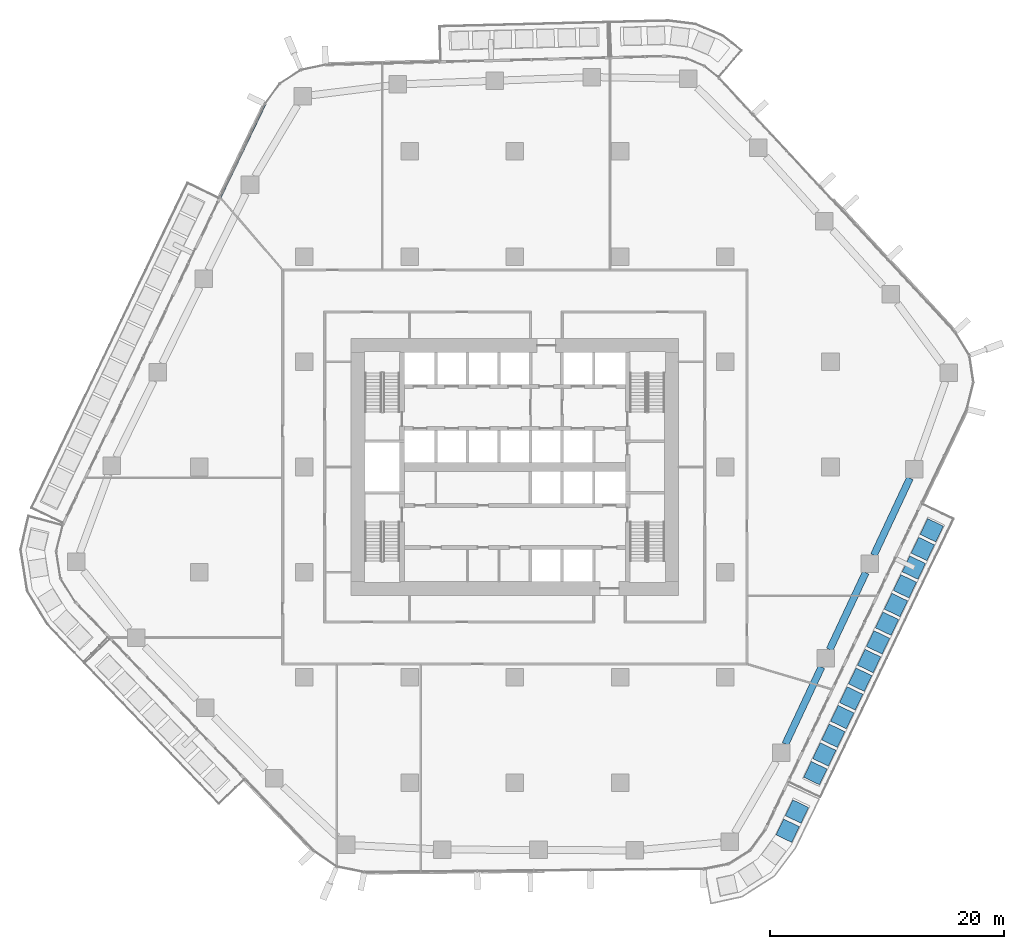
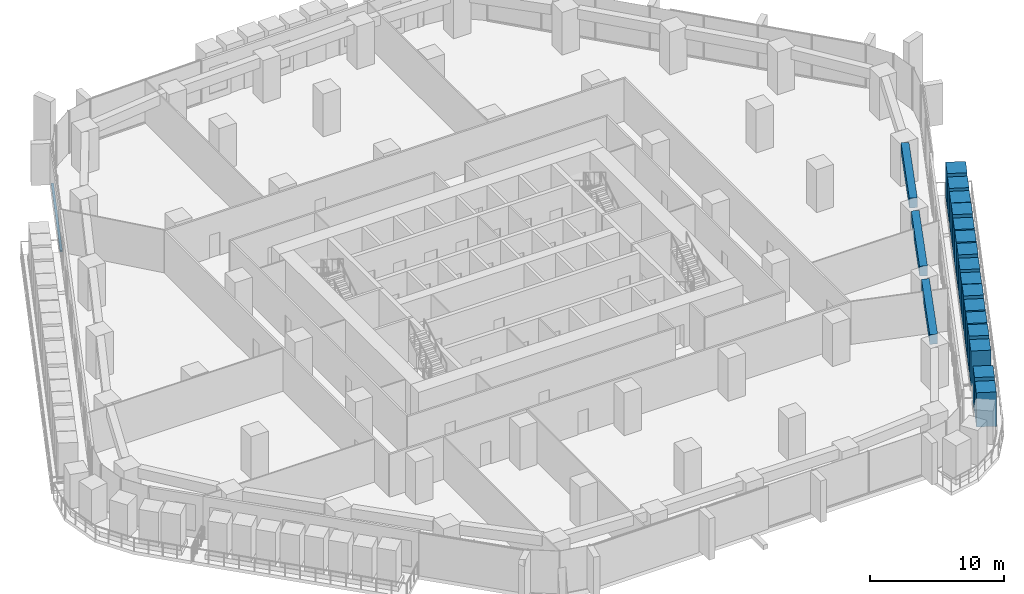
# One storey, part 6 of 23: 17 members, 3 beams, 1 element without a shape of its own.
"""IFC4 building model written with IfcOpenShell, lengths in metres."""

import ifcopenshell
import ifcopenshell.guid

model = None  # the IFC model being written
_history = None  # IfcOwnerHistory: only IFC2X3 demands one
_inside = {}  # id of a spatial element -> (the spatial element, [elements in it])
_under = {}  # id of a project, library or spatial element -> (it, [spatial elements below it])
_declared = {}  # id of a project -> (the project, [libraries it declares])
_typed = {}  # id of a type object -> (the type object, [elements of that type])
_made_of = {}  # id of a material, layer set ... -> (it, [elements and type objects made of it])


def new_model(schema):
    """Start an empty IFC model of exactly this schema.

    Asked for "IFC4X3", IfcOpenShell would pick the latest addendum, in which some entities
    have other attributes; the version numbers below select the first issue.
    IFC2X3 requires an IfcOwnerHistory on every rooted entity: one is made here for all.
    """
    global model, _history
    if schema == "IFC4X3":
        model = ifcopenshell.file(schema_version=(4, 3, 0, 0))
    else:
        model = ifcopenshell.file(schema=schema)
    _inside.clear()
    _under.clear()
    _declared.clear()
    _typed.clear()
    _made_of.clear()
    _history = None
    if model.schema == "IFC2X3":
        org = make("IfcOrganization", Name="unknown")
        user = make(
            "IfcPersonAndOrganization",
            ThePerson=make("IfcPerson", FamilyName="unknown"),
            TheOrganization=org,
        )
        app = make(
            "IfcApplication",
            ApplicationDeveloper=org,
            Version="unknown",
            ApplicationFullName="unknown",
            ApplicationIdentifier="unknown",
        )
        _history = make(
            "IfcOwnerHistory",
            OwningUser=user,
            OwningApplication=app,
            ChangeAction="ADDED",
            CreationDate=0,
        )
    return model


def make(cls, **values):
    """One entity of the class cls with the attributes given. An attribute that is None is left unset."""
    return model.create_entity(
        cls, **{name: value for name, value in values.items() if value is not None}
    )


def rooted(cls, **values):
    """An entity with a GlobalId (a new one), such as an element, a storey or a relation."""
    return make(cls, GlobalId=ifcopenshell.guid.new(), OwnerHistory=_history, **values)


def si_unit(unit_type, name, prefix=None):
    """IfcSIUnit, for example si_unit("LENGTHUNIT", "METRE", prefix="MILLI")."""
    return make("IfcSIUnit", UnitType=unit_type, Prefix=prefix, Name=name)


def assignment(units):
    """IfcUnitAssignment: the units of a project."""
    return None if units is None else make("IfcUnitAssignment", Units=units)


def point(xyz):
    """IfcCartesianPoint."""
    return None if xyz is None else make("IfcCartesianPoint", Coordinates=xyz)


def direction(xyz):
    """IfcDirection."""
    return None if xyz is None else make("IfcDirection", DirectionRatios=xyz)


def frame(location, z_axis=None, x_axis=None):
    """IfcAxis2Placement3D, a coordinate frame: its origin and axes. An axis left out is left unset."""
    return make(
        "IfcAxis2Placement3D",
        Location=point(location),
        Axis=direction(z_axis),
        RefDirection=direction(x_axis),
    )


def frame_2d(location, x_axis=None):
    """IfcAxis2Placement2D, a coordinate frame in the plane: its origin and x axis."""
    return make(
        "IfcAxis2Placement2D", Location=point(location), RefDirection=direction(x_axis)
    )


def origin():
    """The frame at (0, 0, 0) with its axes left unset."""
    return frame((0.0, 0.0, 0.0))


def origin_2d():
    """The frame at (0, 0) in the plane with its x axis left unset."""
    return frame_2d((0.0, 0.0))


def place(relative_to, where):
    """IfcLocalPlacement: puts the frame where relative to a parent placement (None: the world)."""
    return make(
        "IfcLocalPlacement", PlacementRelTo=relative_to, RelativePlacement=where
    )


def context(
    kind, dimensions, precision=None, world=None, true_north=None, identifier=None
):
    """IfcGeometricRepresentationContext, for example the 3D "Model" context."""
    return make(
        "IfcGeometricRepresentationContext",
        ContextIdentifier=identifier,
        ContextType=kind,
        CoordinateSpaceDimension=dimensions,
        Precision=precision,
        WorldCoordinateSystem=world,
        TrueNorth=true_north,
    )


def subcontext(parent, identifier, kind, view, scale=None):
    """IfcGeometricRepresentationSubContext, for example "Body" below "Model"."""
    return make(
        "IfcGeometricRepresentationSubContext",
        ContextIdentifier=identifier,
        ContextType=kind,
        ParentContext=parent,
        TargetScale=scale,
        TargetView=view,
    )


def project(units=None, contexts=None):
    """IfcProject with its units and contexts."""
    return rooted(
        "IfcProject",
        Name="project",
        RepresentationContexts=contexts,
        UnitsInContext=assignment(units),
    )


def spatial(cls, under=None, at=None, **own):
    """A site, building, storey or space (cls), placed at a placement, below another one or the project."""
    s = rooted(cls, ObjectPlacement=at, **own)
    if under is not None:
        _under.setdefault(under.id(), (under, []))[1].append(s)
    return s


def profile(cls, at=None, kind="AREA", **sizes):
    """A parametric profile (cls). Its sizes go by their IFC names, for example OverallWidth=200.0."""
    return make(cls, ProfileType=kind, Position=at, **sizes)


def rectangle(**sizes):
    """IfcRectangleProfileDef."""
    return profile("IfcRectangleProfileDef", **sizes)


def extrude(swept, where, along, depth):
    """IfcExtrudedAreaSolid: the profile swept, set in the frame where, extruded along a direction by depth."""
    return make(
        "IfcExtrudedAreaSolid",
        SweptArea=swept,
        Position=where,
        ExtrudedDirection=direction(along),
        Depth=depth,
    )


def shape(context_of_items, identifier, shape_type, items):
    """IfcShapeRepresentation: the items that make up one representation, for example the "Body"."""
    return make(
        "IfcShapeRepresentation",
        ContextOfItems=context_of_items,
        RepresentationIdentifier=identifier,
        RepresentationType=shape_type,
        Items=items,
    )


def material(Name=None, Category=None):
    """IfcMaterial."""
    return make("IfcMaterial", Name=Name, Category=Category)


def layer(
    of_material, thickness, ventilated=None, Name=None, Category=None, Priority=None
):
    """IfcMaterialLayer: one layer of a wall or slab, of a material (None: an air gap)."""
    return make(
        "IfcMaterialLayer",
        Material=of_material,
        LayerThickness=thickness,
        IsVentilated=ventilated,
        Name=Name,
        Category=Category,
        Priority=Priority,
    )


def layer_set(layers, Name=None):
    """IfcMaterialLayerSet."""
    return make("IfcMaterialLayerSet", MaterialLayers=layers, LayerSetName=Name)


def material_profile(
    of_material, cross_section, Name=None, Category=None, Priority=None
):
    """IfcMaterialProfile: a cross section and its material."""
    return make(
        "IfcMaterialProfile",
        Name=Name,
        Material=of_material,
        Profile=cross_section,
        Priority=Priority,
        Category=Category,
    )


def profile_set(profiles, Name=None, composite=None):
    """IfcMaterialProfileSet."""
    return make(
        "IfcMaterialProfileSet",
        Name=Name,
        MaterialProfiles=profiles,
        CompositeProfile=composite,
    )


def made_of(thing, what):
    """Note that an element or type object is made of a material, layer set ...; save() writes the relation."""
    if what is not None:
        _made_of.setdefault(what.id(), (what, []))[1].append(thing)
    return thing


def type_object(cls, material=None, **own):
    """A type object (cls), such as IfcWallType, which elements share."""
    return made_of(rooted(cls, **own), material)


def element(
    cls,
    number,
    at=None,
    inside=None,
    cuts=None,
    type_object=None,
    material=None,
    context=None,
    identifier="Body",
    shape_type=None,
    held_by="IfcProductDefinitionShape",
    body=None,
    shapes=None,
    **own,
):
    """One element of the class cls, such as IfcWall. Its Tag is "e" and its number.

    at: its placement. inside: the storey or other place that contains it. cuts: it is an
    opening in that element (IfcRelVoidsElement). A single representation is given by context,
    identifier, shape_type and body (its items); several are given by shapes. held_by: the class
    of the entity that holds the representations. save() writes the other relations.
    """
    e = rooted(cls, Tag="e%d" % number, ObjectPlacement=at, **own)
    if body is not None:
        shapes = [shape(context, identifier, shape_type, body)]
    if shapes is not None:
        e.Representation = make(held_by, Representations=shapes)
    if inside is not None:
        _inside.setdefault(inside.id(), (inside, []))[1].append(e)
    if cuts is not None:
        rooted(
            "IfcRelVoidsElement", RelatingBuildingElement=cuts, RelatedOpeningElement=e
        )
    if type_object is not None:
        _typed.setdefault(type_object.id(), (type_object, []))[1].append(e)
    return made_of(e, material)


def aggregate(whole, parts):
    """IfcRelAggregates: a whole, such as a stair, and the parts it consists of."""
    return rooted("IfcRelAggregates", RelatingObject=whole, RelatedObjects=parts)


def save(model, path):
    """Write the relations noted so far, then the file.

    IfcRelAggregates (storeys below a building ...), IfcRelContainedInSpatialStructure (elements
    in a storey), IfcRelDefinesByType, IfcRelAssociatesMaterial and IfcRelDeclares: one each for
    every whole, place, type object, material and project.
    """
    for whole, parts in _under.values():
        aggregate(whole, parts)
    for where, things in _inside.values():
        rooted(
            "IfcRelContainedInSpatialStructure",
            RelatedElements=things,
            RelatingStructure=where,
        )
    for kind, things in _typed.values():
        rooted("IfcRelDefinesByType", RelatedObjects=things, RelatingType=kind)
    for what, things in _made_of.values():
        rooted("IfcRelAssociatesMaterial", RelatedObjects=things, RelatingMaterial=what)
    for by, libraries in _declared.values():
        rooted("IfcRelDeclares", RelatingContext=by, RelatedDefinitions=libraries)
    model.write(path)


model = new_model("IFC4")

# Units and contexts
model_context = context("Model", 3, precision=1e-05, world=origin(), true_north=direction((0.0, 1.0)))
body_context = subcontext(model_context, "Body", "Model", "MODEL_VIEW")
ifc_project = project(units=[si_unit("LENGTHUNIT", "METRE"), si_unit("AREAUNIT", "SQUARE_METRE"), si_unit("VOLUMEUNIT", "CUBIC_METRE"), si_unit("PLANEANGLEUNIT", "RADIAN"), si_unit("MASSUNIT", "GRAM", prefix="KILO")], contexts=[model_context])

# Site, building, storey
site_placement = place(None, origin())
site = spatial("IfcSite", under=ifc_project, at=site_placement, CompositionType="ELEMENT")
building_placement = place(site_placement, origin())
building = spatial("IfcBuilding", under=site, at=building_placement, Name="Dongbaek Canopy Tower", CompositionType="ELEMENT")
storey_placement = place(building_placement, frame((0.0, 0.0, 84.699951171875)))
storey = spatial("IfcBuildingStorey", under=building, at=storey_placement, Name="L17", CompositionType="ELEMENT", Elevation=84.699951171875)

# Curtain wall, member
ifc_material_1 = material(Name="Aluminium 6063-T6 pale anodised", Category="aluminium")
ifc_layer = layer(ifc_material_1, 0.199951171875)
ifc_layer_set = layer_set([ifc_layer], Name="CW-1 unitised tower curtain wall")
curtain_wall_type = type_object("IfcCurtainWallType", Name="CW-1 unitised tower curtain wall", PredefinedType="NOTDEFINED", material=ifc_layer_set)
curtain_wall_placement = place(storey_placement, origin())
curtain_wall = element("IfcCurtainWall", 1, at=curtain_wall_placement, inside=storey, type_object=curtain_wall_type, Name="CW-1 curtain wall F2.1", PredefinedType="NOTDEFINED")
ifc_material_2 = material(Name="Aluminium 6063-T6 pale anodised", Category="aluminium")
ifc_material_profile_1 = material_profile(ifc_material_2, rectangle(XDim=0.199951171875, YDim=0.1201171875, at=origin_2d()), Name="CW-1 transom 120 x 200")
ifc_profile_set_1 = profile_set([ifc_material_profile_1], Name="Aluminium 6063-T6 pale anodised")
member_type_1 = type_object("IfcMemberType", Name="CW-1 transom 120 x 200", PredefinedType="USERDEFINED", material=ifc_profile_set_1)
member_1_placement = place(storey_placement, frame((-21.366943359375, 31.04638671875, 0.06005859375), z_axis=(-0.433079590692, -0.901355683472, 0.0), x_axis=(0.901355683472, -0.433079590692, 0.0)))
member_1 = element("IfcMember", 2, at=member_1_placement, type_object=member_type_1, Name="CW-1 transom F2.1.1", ObjectType="TRANSOM", PredefinedType="USERDEFINED", context=body_context, shape_type="SweptSolid", body=[
    extrude(rectangle(XDim=0.199951171875, YDim=0.1201171875, at=origin_2d()), origin(), (0.0, 0.0, 1.0), 8.85791015625),
])
aggregate(curtain_wall, [member_1])

# Beams
ifc_material_3 = material(Name="Concrete C80", Category="concrete")
ifc_material_profile_2 = material_profile(ifc_material_3, rectangle(XDim=0.60009765625, YDim=0.89990234375, at=origin_2d()), Name="RC EDGE BEAM 600x900 C80")
ifc_profile_set_2 = profile_set([ifc_material_profile_2], Name="Concrete C80")
beam_type = type_object("IfcBeamType", Name="RC EDGE BEAM 600x900 C80", PredefinedType="BEAM", material=ifc_profile_set_2)
beam_1_placement = place(storey_placement, frame((33.791748046875, -0.955078125, 3.449951171875), z_axis=(-0.424064450026, -0.905632012588, 0.0), x_axis=(0.905632012588, -0.424064450026, 0.0)))
element("IfcBeam", 3, at=beam_1_placement, inside=storey, type_object=beam_type, Name="EDGEBEAM:L17:22", PredefinedType="BEAM", context=body_context, shape_type="SweptSolid", body=[
    extrude(rectangle(XDim=0.60009765625, YDim=0.89990234375, at=origin_2d()), origin(), (0.0, 0.0, 1.0), 7.264404296875),
])
beam_2_placement = place(storey_placement, frame((30.0087890625, -9.033935546875, 3.449951171875), z_axis=(-0.424110161641, -0.905610606604, 0.0), x_axis=(0.905610606604, -0.424110161641, 0.0)))
element("IfcBeam", 4, at=beam_2_placement, inside=storey, type_object=beam_type, Name="EDGEBEAM:L17:23", PredefinedType="BEAM", context=body_context, shape_type="SweptSolid", body=[
    extrude(rectangle(XDim=0.60009765625, YDim=0.89990234375, at=origin_2d()), origin(), (0.0, 0.0, 1.0), 7.265869140625),
])
beam_3_placement = place(storey_placement, frame((26.224609375, -17.114013671875, 3.449951171875), z_axis=(-0.42413422917, -0.905599335052, 0.0), x_axis=(0.905599335052, -0.42413422917, 0.0)))
element("IfcBeam", 5, at=beam_3_placement, inside=storey, type_object=beam_type, Name="EDGEBEAM:L17:24", PredefinedType="BEAM", context=body_context, shape_type="SweptSolid", body=[
    extrude(rectangle(XDim=0.60009765625, YDim=0.89990234375, at=origin_2d()), origin(), (0.0, 0.0, 1.0), 7.264892578125),
])

# Members
ifc_material_4 = material(Name="Concrete C40/50 planter mass with planting", Category="concrete")
ifc_material_profile_3 = material_profile(ifc_material_4, rectangle(XDim=1.5, YDim=1.5, at=origin_2d()), Name="Terrace PLANTER shrub mass 1500 x 1500")
ifc_profile_set_3 = profile_set([ifc_material_profile_3], Name="Concrete C40/50 planter mass with planting")
member_type_2 = type_object("IfcMemberType", Name="Terrace PLANTER shrub mass 1500 x 1500", PredefinedType="USERDEFINED", material=ifc_profile_set_3)
member_2_placement = place(storey_placement, frame((25.70751953125, -26.181640625, 0.420166015625), z_axis=(0.0, 0.0, 1.0), x_axis=(0.901827659113, -0.432095907478, 0.0)))
element("IfcMember", 6, at=member_2_placement, inside=storey, type_object=member_type_2, Name="Planter shrubs L17 4.1", ObjectType="PLANTER", PredefinedType="USERDEFINED", context=body_context, shape_type="SweptSolid", body=[
    extrude(rectangle(XDim=1.5, YDim=1.5, at=origin_2d()), origin(), (0.0, 0.0, 1.0), 3.1298828125),
])
member_3_placement = place(storey_placement, frame((26.47314453125, -24.583984375, 0.420166015625), z_axis=(0.0, 0.0, 1.0), x_axis=(0.901827659113, -0.432095907478, 0.0)))
element("IfcMember", 7, at=member_3_placement, inside=storey, type_object=member_type_2, Name="Planter shrubs L17 4.2", ObjectType="PLANTER", PredefinedType="USERDEFINED", context=body_context, shape_type="SweptSolid", body=[
    extrude(rectangle(XDim=1.5, YDim=1.5, at=origin_2d()), origin(), (0.0, 0.0, 1.0), 3.25),
])
member_4_placement = place(storey_placement, frame((27.238525390625, -22.986328125, 0.420166015625), z_axis=(0.0, 0.0, 1.0), x_axis=(0.901827659113, -0.432095907478, 0.0)))
element("IfcMember", 8, at=member_4_placement, inside=storey, type_object=member_type_2, Name="Planter shrubs L17 4.3", ObjectType="PLANTER", PredefinedType="USERDEFINED", context=body_context, shape_type="SweptSolid", body=[
    extrude(rectangle(XDim=1.5, YDim=1.5, at=origin_2d()), origin(), (0.0, 0.0, 1.0), 3.169921875),
])
member_5_placement = place(storey_placement, frame((28.004150390625, -21.388671875, 0.420166015625), z_axis=(0.0, 0.0, 1.0), x_axis=(0.901827659113, -0.432095907478, 0.0)))
element("IfcMember", 9, at=member_5_placement, inside=storey, type_object=member_type_2, Name="Planter shrubs L17 4.4", ObjectType="PLANTER", PredefinedType="USERDEFINED", context=body_context, shape_type="SweptSolid", body=[
    extrude(rectangle(XDim=1.5, YDim=1.5, at=origin_2d()), origin(), (0.0, 0.0, 1.0), 3.08984375),
])
member_6_placement = place(storey_placement, frame((28.76953125, -19.790771484375, 0.420166015625), z_axis=(0.0, 0.0, 1.0), x_axis=(0.901827659113, -0.432095907478, 0.0)))
element("IfcMember", 10, at=member_6_placement, inside=storey, type_object=member_type_2, Name="Planter shrubs L17 4.5", ObjectType="PLANTER", PredefinedType="USERDEFINED", context=body_context, shape_type="SweptSolid", body=[
    extrude(rectangle(XDim=1.5, YDim=1.5, at=origin_2d()), origin(), (0.0, 0.0, 1.0), 3.2099609375),
])
member_7_placement = place(storey_placement, frame((29.53515625, -18.193115234375, 0.420166015625), z_axis=(0.0, 0.0, 1.0), x_axis=(0.901827659113, -0.432095907478, 0.0)))
element("IfcMember", 11, at=member_7_placement, inside=storey, type_object=member_type_2, Name="Planter shrubs L17 4.6", ObjectType="PLANTER", PredefinedType="USERDEFINED", context=body_context, shape_type="SweptSolid", body=[
    extrude(rectangle(XDim=1.5, YDim=1.5, at=origin_2d()), origin(), (0.0, 0.0, 1.0), 3.0498046875),
])
member_8_placement = place(storey_placement, frame((30.300537109375, -16.595458984375, 0.420166015625), z_axis=(0.0, 0.0, 1.0), x_axis=(0.901827659113, -0.432095907478, 0.0)))
element("IfcMember", 12, at=member_8_placement, inside=storey, type_object=member_type_2, Name="Planter shrubs L17 4.7", ObjectType="PLANTER", PredefinedType="USERDEFINED", context=body_context, shape_type="SweptSolid", body=[
    extrude(rectangle(XDim=1.5, YDim=1.5, at=origin_2d()), origin(), (0.0, 0.0, 1.0), 3.1298828125),
])
member_9_placement = place(storey_placement, frame((31.066162109375, -14.997802734375, 0.420166015625), z_axis=(0.0, 0.0, 1.0), x_axis=(0.901827659113, -0.432095907478, 0.0)))
element("IfcMember", 13, at=member_9_placement, inside=storey, type_object=member_type_2, Name="Planter shrubs L17 4.8", ObjectType="PLANTER", PredefinedType="USERDEFINED", context=body_context, shape_type="SweptSolid", body=[
    extrude(rectangle(XDim=1.5, YDim=1.5, at=origin_2d()), origin(), (0.0, 0.0, 1.0), 3.25),
])
member_10_placement = place(storey_placement, frame((31.83154296875, -13.400146484375, 0.420166015625), z_axis=(0.0, 0.0, 1.0), x_axis=(0.901827659113, -0.432095907478, 0.0)))
element("IfcMember", 14, at=member_10_placement, inside=storey, type_object=member_type_2, Name="Planter shrubs L17 4.9", ObjectType="PLANTER", PredefinedType="USERDEFINED", context=body_context, shape_type="SweptSolid", body=[
    extrude(rectangle(XDim=1.5, YDim=1.5, at=origin_2d()), origin(), (0.0, 0.0, 1.0), 3.169921875),
])
member_11_placement = place(storey_placement, frame((32.59716796875, -11.802490234375, 0.420166015625), z_axis=(0.0, 0.0, 1.0), x_axis=(0.901827659113, -0.432095907478, 0.0)))
element("IfcMember", 15, at=member_11_placement, inside=storey, type_object=member_type_2, Name="Planter shrubs L17 4.10", ObjectType="PLANTER", PredefinedType="USERDEFINED", context=body_context, shape_type="SweptSolid", body=[
    extrude(rectangle(XDim=1.5, YDim=1.5, at=origin_2d()), origin(), (0.0, 0.0, 1.0), 3.08984375),
])
member_12_placement = place(storey_placement, frame((33.362548828125, -10.20458984375, 0.420166015625), z_axis=(0.0, 0.0, 1.0), x_axis=(0.901827659113, -0.432095907478, 0.0)))
element("IfcMember", 16, at=member_12_placement, inside=storey, type_object=member_type_2, Name="Planter shrubs L17 4.11", ObjectType="PLANTER", PredefinedType="USERDEFINED", context=body_context, shape_type="SweptSolid", body=[
    extrude(rectangle(XDim=1.5, YDim=1.5, at=origin_2d()), origin(), (0.0, 0.0, 1.0), 3.2099609375),
])
member_13_placement = place(storey_placement, frame((34.128173828125, -8.60693359375, 0.420166015625), z_axis=(0.0, 0.0, 1.0), x_axis=(0.901827659113, -0.432095907478, 0.0)))
element("IfcMember", 17, at=member_13_placement, inside=storey, type_object=member_type_2, Name="Planter shrubs L17 4.12", ObjectType="PLANTER", PredefinedType="USERDEFINED", context=body_context, shape_type="SweptSolid", body=[
    extrude(rectangle(XDim=1.5, YDim=1.5, at=origin_2d()), origin(), (0.0, 0.0, 1.0), 3.0498046875),
])
member_14_placement = place(storey_placement, frame((34.893798828125, -7.00927734375, 0.420166015625), z_axis=(0.0, 0.0, 1.0), x_axis=(0.901827659113, -0.432095907478, 0.0)))
element("IfcMember", 18, at=member_14_placement, inside=storey, type_object=member_type_2, Name="Planter shrubs L17 4.13", ObjectType="PLANTER", PredefinedType="USERDEFINED", context=body_context, shape_type="SweptSolid", body=[
    extrude(rectangle(XDim=1.5, YDim=1.5, at=origin_2d()), origin(), (0.0, 0.0, 1.0), 3.1298828125),
])
member_15_placement = place(storey_placement, frame((35.6591796875, -5.41162109375, 0.420166015625), z_axis=(0.0, 0.0, 1.0), x_axis=(0.901827659113, -0.432095907478, 0.0)))
element("IfcMember", 19, at=member_15_placement, inside=storey, type_object=member_type_2, Name="Planter shrubs L17 4.14", ObjectType="PLANTER", PredefinedType="USERDEFINED", context=body_context, shape_type="SweptSolid", body=[
    extrude(rectangle(XDim=1.5, YDim=1.5, at=origin_2d()), origin(), (0.0, 0.0, 1.0), 3.25),
])
member_16_placement = place(storey_placement, frame((23.340576171875, -31.10888671875, 0.420166015625), z_axis=(0.0, 0.0, 1.0), x_axis=(0.900960941167, -0.433900198769, 0.0)))
element("IfcMember", 20, at=member_16_placement, inside=storey, type_object=member_type_2, Name="Planter shrubs L17 7.4", ObjectType="PLANTER", PredefinedType="USERDEFINED", context=body_context, shape_type="SweptSolid", body=[
    extrude(rectangle(XDim=1.5, YDim=1.5, at=origin_2d()), origin(), (0.0, 0.0, 1.0), 3.1298828125),
])
member_17_placement = place(storey_placement, frame((24.130615234375, -29.468994140625, 0.420166015625), z_axis=(0.0, 0.0, 1.0), x_axis=(0.900960941167, -0.433900198769, 0.0)))
element("IfcMember", 21, at=member_17_placement, inside=storey, type_object=member_type_2, Name="Planter shrubs L17 7.5", ObjectType="PLANTER", PredefinedType="USERDEFINED", context=body_context, shape_type="SweptSolid", body=[
    extrude(rectangle(XDim=1.5, YDim=1.5, at=origin_2d()), origin(), (0.0, 0.0, 1.0), 3.25),
])

save(model, "model.ifc")
